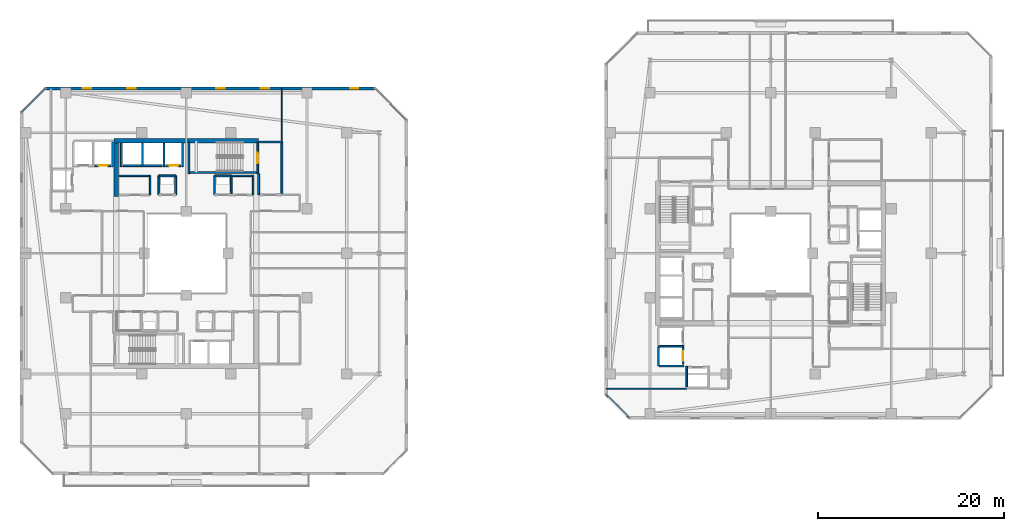
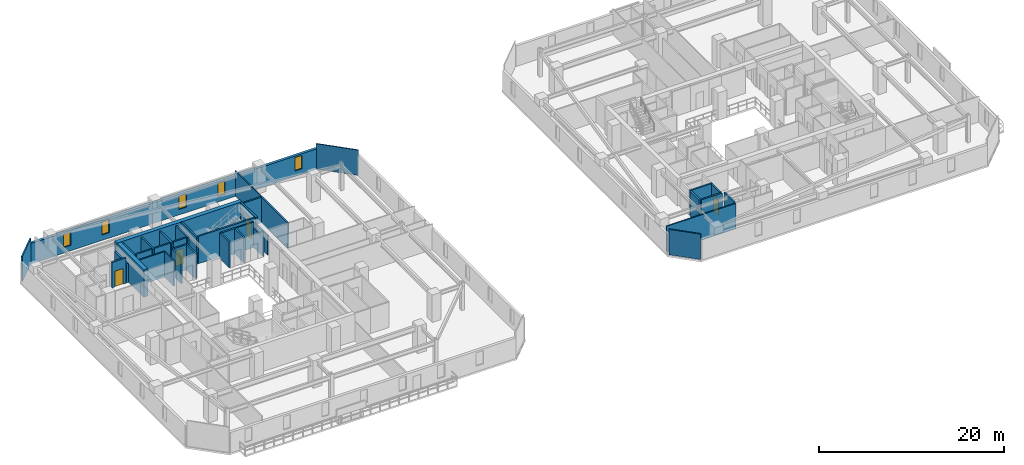
# One storey, part 22 of 33: 38 walls, 5 windows, 4 doors, 9 openings.
"""IFC4 building model written with IfcOpenShell, lengths in metres."""

from ifc_helpers import new_model, si_unit, direction, frame, frame_2d, origin, place, context, subcontext, project, spatial, rectangle, extrude, material, layer, layer_set, type_object, element, fill, save


model = new_model("IFC4")

# Units and contexts
model_context = context("Model", 3, precision=1e-05, world=origin(), true_north=direction((0.0, 1.0)))
body_context = subcontext(model_context, "Body", "Model", "MODEL_VIEW")
ifc_project = project(units=[si_unit("LENGTHUNIT", "METRE"), si_unit("AREAUNIT", "SQUARE_METRE"), si_unit("VOLUMEUNIT", "CUBIC_METRE"), si_unit("PLANEANGLEUNIT", "RADIAN"), si_unit("MASSUNIT", "GRAM", prefix="KILO")], contexts=[model_context])

# Site, building, storey
site_placement = place(None, origin())
site = spatial("IfcSite", under=ifc_project, at=site_placement, CompositionType="ELEMENT")
building_placement = place(site_placement, origin())
building = spatial("IfcBuilding", under=site, at=building_placement, Name="Thornwick Lancets Civic Towers", CompositionType="ELEMENT")
storey_placement = place(building_placement, frame((0.0, 0.0, 159.89990234375)))
storey = spatial("IfcBuildingStorey", under=building, at=storey_placement, Name="L42", CompositionType="ELEMENT", Elevation=159.89990234375)

# Wall, opening, door
ifc_material_1 = material(Name="Concrete blockwork C40/50", Category="masonry")
ifc_layer_1 = layer(ifc_material_1, 0.199951171875, Name="Concrete blockwork C40/50")
ifc_layer_set_1 = layer_set([ifc_layer_1], Name="Concrete blockwork C40/50")
wall_type_1 = type_object("IfcWallType", Name="WALL_COMP_200", PredefinedType="STANDARD", material=ifc_layer_set_1)
wall_1_placement = place(storey_placement, frame((24.919921875, 36.449951171875, 0.0), z_axis=(0.0, 0.0, 1.0), x_axis=(-1.0, 0.0, 0.0)))
wall_1 = element("IfcWall", 1, at=wall_1_placement, inside=storey, type_object=wall_type_1, Name="L42 Hoistway Front Wall FL-A2", PredefinedType="STANDARD", context=body_context, shape_type="SweptSolid", body=[
    extrude(rectangle(XDim=1.639892578125, YDim=0.199951171875, at=frame_2d((0.81982421875, 0.0))), origin(), (0.0, 0.0, 1.0), 3.340087890625),
])
opening_1_placement = place(wall_1_placement, frame((0.31005859375, 0.0, 0.0)))
opening_1 = element("IfcOpeningElement", 2, at=opening_1_placement, cuts=wall_1, Name="Opening LD-FL-A2", PredefinedType="OPENING", context=body_context, shape_type="SweptSolid", body=[
    extrude(rectangle(XDim=1.02001953125, YDim=2.06005859375, at=frame_2d((0.510009765625, 1.030029296875))), frame((0.0, 0.10986328125, 0.0), z_axis=(0.0, -1.0, 0.0), x_axis=(1.0, 0.0, 0.0)), (0.0, 0.0, 1.0), 0.219970703125),
])
ifc_material_2 = material(Name="Brushed bronze stainless steel", Category="steel")
door_type_1 = type_object("IfcDoorType", Name="DOOR_LIFT_SLIDE", OperationType="SLIDING_TO_LEFT", PredefinedType="DOOR", material=ifc_material_2)
door_1_placement = place(opening_1_placement, origin())
door_1 = element("IfcDoor", 3, at=door_1_placement, inside=storey, type_object=door_type_1, Name="L42 Sliding Lift Landing Door LD-FL-A2", OperationType="SLIDING_TO_LEFT", OverallHeight=2.06005859375, OverallWidth=1.02001953125, PredefinedType="DOOR", context=body_context, shape_type="SweptSolid", body=[
    extrude(rectangle(XDim=1.02001953125, YDim=2.06005859375, at=frame_2d((0.510009765625, 1.030029296875))), frame((0.0, 0.02490234375, 0.0), z_axis=(0.0, -1.0, 0.0), x_axis=(1.0, 0.0, 0.0)), (0.0, 0.0, 1.0), 0.050048828125),
])
fill(opening_1, door_1)

# Walls
wall_2_placement = place(storey_placement, frame((22.919921875, 36.449951171875, 0.0), z_axis=(0.0, 0.0, 1.0), x_axis=(-1.0, 0.0, 0.0)))
element("IfcWall", 4, at=wall_2_placement, inside=storey, type_object=wall_type_1, Name="L42 Hoistway Front Wall PL-AH2", PredefinedType="STANDARD", context=body_context, shape_type="SweptSolid", body=[
    extrude(rectangle(XDim=1.989990234375, YDim=0.199951171875, at=frame_2d((0.9951171875, 0.0))), origin(), (0.0, 0.0, 1.0), 3.340087890625),
])
wall_3_placement = place(storey_placement, frame((20.6201171875, 36.449951171875, 0.0), z_axis=(0.0, 0.0, 1.0), x_axis=(-1.0, 0.0, 0.0)))
element("IfcWall", 5, at=wall_3_placement, inside=storey, type_object=wall_type_1, Name="L42 Hoistway Front Wall PL-AH3", PredefinedType="STANDARD", context=body_context, shape_type="SweptSolid", body=[
    extrude(rectangle(XDim=1.940185546875, YDim=0.199951171875, at=frame_2d((0.97021484375, 0.0))), origin(), (0.0, 0.0, 1.0), 3.340087890625),
])

# Wall, opening, door
wall_4_placement = place(storey_placement, frame((17.3701171875, 36.449951171875, 0.0), z_axis=(0.0, 0.0, 1.0), x_axis=(-1.0, 0.0, 0.0)))
wall_4 = element("IfcWall", 6, at=wall_4_placement, inside=storey, type_object=wall_type_1, Name="L42 Hoistway Front Wall PL-AM1", PredefinedType="STANDARD", context=body_context, shape_type="SweptSolid", body=[
    extrude(rectangle(XDim=1.740234375, YDim=0.199951171875, at=frame_2d((0.8701171875, 0.0))), origin(), (0.0, 0.0, 1.0), 3.340087890625),
])
opening_2_placement = place(wall_4_placement, frame((0.360107421875, 0.0, 0.0)))
opening_2 = element("IfcOpeningElement", 7, at=opening_2_placement, cuts=wall_4, Name="Opening LD-PL-AM1", PredefinedType="OPENING", context=body_context, shape_type="SweptSolid", body=[
    extrude(rectangle(XDim=1.02001953125, YDim=2.06005859375, at=frame_2d((0.510009765625, 1.030029296875))), frame((0.0, 0.10986328125, 0.0), z_axis=(0.0, -1.0, 0.0), x_axis=(1.0, 0.0, 0.0)), (0.0, 0.0, 1.0), 0.219970703125),
])
door_2_placement = place(opening_2_placement, origin())
door_2 = element("IfcDoor", 8, at=door_2_placement, inside=storey, type_object=door_type_1, Name="L42 Sliding Lift Landing Door LD-PL-AM1", OperationType="SLIDING_TO_LEFT", OverallHeight=2.06005859375, OverallWidth=1.02001953125, PredefinedType="DOOR", context=body_context, shape_type="SweptSolid", body=[
    extrude(rectangle(XDim=1.02001953125, YDim=2.06005859375, at=frame_2d((0.510009765625, 1.030029296875))), frame((0.0, 0.02490234375, 0.0), z_axis=(0.0, -1.0, 0.0), x_axis=(1.0, 0.0, 0.0)), (0.0, 0.0, 1.0), 0.050048828125),
])
fill(opening_2, door_2)

wall_5_placement = place(storey_placement, frame((79.050048828125, 15.030029296875, 0.0), z_axis=(0.0, 0.0, 1.0), x_axis=(0.0, 1.0, 0.0)))
wall_5 = element("IfcWall", 9, at=wall_5_placement, inside=storey, type_object=wall_type_1, Name="L42 Hoistway Front Wall PL-BM2", PredefinedType="STANDARD", context=body_context, shape_type="SweptSolid", body=[
    extrude(rectangle(XDim=1.7900390625, YDim=0.199951171875, at=frame_2d((0.89501953125, 0.0))), origin(), (0.0, 0.0, 1.0), 3.340087890625),
])
opening_3_placement = place(wall_5_placement, frame((0.385009765625, 0.0, 0.0)))
opening_3 = element("IfcOpeningElement", 10, at=opening_3_placement, cuts=wall_5, Name="Opening LD-PL-BM2", PredefinedType="OPENING", context=body_context, shape_type="SweptSolid", body=[
    extrude(rectangle(XDim=1.02001953125, YDim=2.06005859375, at=frame_2d((0.510009765625, 1.030029296875))), frame((0.0, 0.10986328125, 0.0), z_axis=(0.0, -1.0, 0.0), x_axis=(1.0, 0.0, 0.0)), (0.0, 0.0, 1.0), 0.219970703125),
])
door_3_placement = place(opening_3_placement, origin())
door_3 = element("IfcDoor", 11, at=door_3_placement, inside=storey, type_object=door_type_1, Name="L42 Sliding Lift Landing Door LD-PL-BM2", OperationType="SLIDING_TO_LEFT", OverallHeight=2.06005859375, OverallWidth=1.02001953125, PredefinedType="DOOR", context=body_context, shape_type="SweptSolid", body=[
    extrude(rectangle(XDim=1.02001953125, YDim=2.06005859375, at=frame_2d((0.510009765625, 1.030029296875))), frame((0.0, 0.02490234375, 0.0), z_axis=(0.0, -1.0, 0.0), x_axis=(1.0, 0.0, 0.0)), (0.0, 0.0, 1.0), 0.050048828125),
])
fill(opening_3, door_3)

# Walls
for number, where, z_axis, x_axis, name in (
    (12, (25.10009765625, 36.35205078125, 0.0), (0.0, 0.0, 1.0), (0.0, 1.0, 0.0), "L42 Hoistway Shaft Wall FL-A2 E"),
    (13, (23.10009765625, 36.35205078125, 0.0), (0.0, 0.0, 1.0), (0.0, 1.0, 0.0), "L42 Hoistway Shaft Wall FL-A2 W"),
    (14, (20.77490234375, 36.35205078125, 0.0), (0.0, 0.0, 1.0), (0.0, 1.0, 0.0), "L42 Hoistway Shaft Wall PL-AH2 W"),
    (15, (18.5, 36.35205078125, 0.0), (0.0, 0.0, 1.0), (0.0, 1.0, 0.0), "L42 Hoistway Shaft Wall PL-AH3 W"),
):
    element("IfcWall", number, at=place(storey_placement, frame(where, z_axis=z_axis, x_axis=x_axis)), inside=storey, type_object=wall_type_1, Name=name, PredefinedType="STANDARD", context=body_context, shape_type="SweptSolid", body=[
        extrude(rectangle(XDim=2.535888671875, YDim=0.199951171875, at=frame_2d((1.26806640625, 0.0))), origin(), (0.0, 0.0, 1.0), 3.340087890625),
    ])
wall_6_placement = place(storey_placement, frame((17.550048828125, 36.35205078125, 0.0), z_axis=(0.0, 0.0, 1.0), x_axis=(0.0, 1.0, 0.0)))
element("IfcWall", 16, at=wall_6_placement, inside=storey, type_object=wall_type_1, Name="L42 Hoistway Shaft Wall PL-AM1 E", PredefinedType="STANDARD", context=body_context, shape_type="SweptSolid", body=[
    extrude(rectangle(XDim=2.635986328125, YDim=0.199951171875, at=frame_2d((1.31787109375, 0.0))), origin(), (0.0, 0.0, 1.0), 2.545166015625),
])
wall_7_placement = place(storey_placement, frame((76.402099609375, 16.97509765625, 0.0), z_axis=(0.0, 0.0, 1.0), x_axis=(1.0, 0.0, 0.0)))
element("IfcWall", 17, at=wall_7_placement, inside=storey, type_object=wall_type_1, Name="L42 Hoistway Shaft Wall PL-BM1 S", PredefinedType="STANDARD", context=body_context, shape_type="SweptSolid", body=[
    extrude(rectangle(XDim=2.745849609375, YDim=0.199951171875, at=frame_2d((1.373046875, 0.0))), origin(), (0.0, 0.0, 1.0), 3.340087890625),
])
wall_8_placement = place(storey_placement, frame((76.39990234375, 14.85205078125, 0.0), z_axis=(0.0, 0.0, 1.0), x_axis=(0.0, 1.0, 0.0)))
element("IfcWall", 18, at=wall_8_placement, inside=storey, type_object=wall_type_1, Name="L42 Hoistway Shaft Wall PL-BM1 W", PredefinedType="STANDARD", context=body_context, shape_type="SweptSolid", body=[
    extrude(rectangle(XDim=2.015869140625, YDim=0.199951171875, at=frame_2d((1.0078125, 0.0))), origin(), (0.0, 0.0, 1.0), 3.340087890625),
])
wall_9_placement = place(storey_placement, frame((76.511962890625, 14.85009765625, 0.0), z_axis=(0.0, 0.0, 1.0), x_axis=(1.0, 0.0, 0.0)))
element("IfcWall", 19, at=wall_9_placement, inside=storey, type_object=wall_type_1, Name="L42 Hoistway Shaft Wall PL-BM2 S", PredefinedType="STANDARD", context=body_context, shape_type="SweptSolid", body=[
    extrude(rectangle(XDim=2.635986328125, YDim=0.199951171875, at=frame_2d((1.31787109375, 0.0))), origin(), (0.0, 0.0, 1.0), 3.340087890625),
])
wall_10_placement = place(storey_placement, frame((79.449951171875, 12.612060546875, 0.0), z_axis=(0.0, 0.0, 1.0), x_axis=(0.0, 1.0, 0.0)))
element("IfcWall", 20, at=wall_10_placement, inside=storey, type_object=wall_type_1, Name="L42 Hoistway Shaft Wall PL-BM3 W", PredefinedType="STANDARD", context=body_context, shape_type="SweptSolid", body=[
    extrude(rectangle(XDim=2.18603515625, YDim=0.199951171875, at=frame_2d((1.093017578125, 0.0))), origin(), (0.0, 0.0, 1.0), 3.340087890625),
])
wall_11_placement = place(storey_placement, frame((35.800048828125, 33.300048828125, 0.0), z_axis=(0.0, 0.0, 1.0), x_axis=(0.0, 1.0, 0.0)))
element("IfcWall", 21, at=wall_11_placement, inside=storey, type_object=wall_type_1, Name="L42 Partition L42-A-FFLOB2 E2", PredefinedType="STANDARD", context=body_context, shape_type="SweptSolid", body=[
    extrude(rectangle(XDim=5.699951171875, YDim=0.199951171875, at=frame_2d((2.85009765625, 0.0))), origin(), (0.0, 0.0, 1.0), 3.340087890625),
])
wall_12_placement = place(storey_placement, frame((35.800048828125, 39.0, 0.0), z_axis=(0.0, 0.0, 1.0), x_axis=(-1.0, 0.0, 0.0)))
element("IfcWall", 22, at=wall_12_placement, inside=storey, type_object=wall_type_1, Name="L42 Partition L42-A-FFLOB2 E3", PredefinedType="STANDARD", context=body_context, shape_type="SweptSolid", body=[
    extrude(rectangle(XDim=2.5, YDim=0.199951171875, at=frame_2d((1.25, 0.0))), origin(), (0.0, 0.0, 1.0), 3.340087890625),
])
wall_13_placement = place(storey_placement, frame((33.300048828125, 35.60009765625, 0.0), z_axis=(0.0, 0.0, 1.0), x_axis=(0.0, -1.0, 0.0)))
element("IfcWall", 23, at=wall_13_placement, inside=storey, type_object=wall_type_1, Name="L42 Partition L42-A-FFLOB2 E4", PredefinedType="STANDARD", context=body_context, shape_type="SweptSolid", body=[
    extrude(rectangle(XDim=2.300048828125, YDim=0.199951171875, at=frame_2d((1.14990234375, 0.0))), origin(), (0.0, 0.0, 1.0), 2.545166015625),
])
wall_14_placement = place(storey_placement, frame((24.35009765625, 33.300048828125, 0.0), z_axis=(0.0, 0.0, 1.0), x_axis=(0.0, 1.0, 0.0)))
element("IfcWall", 24, at=wall_14_placement, inside=storey, type_object=wall_type_1, Name="L42 Partition L42-A-DUCT2 E2", PredefinedType="STANDARD", context=body_context, shape_type="SweptSolid", body=[
    extrude(rectangle(XDim=2.050048828125, YDim=0.199951171875, at=frame_2d((1.02490234375, 0.0))), origin(), (0.0, 0.0, 1.0), 3.340087890625),
])
wall_15_placement = place(storey_placement, frame((24.35009765625, 35.35009765625, 0.0), z_axis=(0.0, 0.0, 1.0), x_axis=(-1.0, 0.0, 0.0)))
element("IfcWall", 25, at=wall_15_placement, inside=storey, type_object=wall_type_1, Name="L42 Partition L42-A-DUCT2 E3", PredefinedType="STANDARD", context=body_context, shape_type="SweptSolid", body=[
    extrude(rectangle(XDim=1.800048828125, YDim=0.199951171875, at=frame_2d((0.89990234375, 0.0))), origin(), (0.0, 0.0, 1.0), 3.340087890625),
])
for number, where, z_axis, x_axis, name in (
    (26, (22.550048828125, 35.35009765625, 0.0), (0.0, 0.0, 1.0), (0.0, -1.0, 0.0), "L42 Partition L42-A-DUCT2 E4"),
    (27, (30.35009765625, 33.300048828125, 0.0), (0.0, 0.0, 1.0), (0.0, 1.0, 0.0), "L42 Partition L42-A-RISER2 E2"),
):
    element("IfcWall", number, at=place(storey_placement, frame(where, z_axis=z_axis, x_axis=x_axis)), inside=storey, type_object=wall_type_1, Name=name, PredefinedType="STANDARD", context=body_context, shape_type="SweptSolid", body=[
        extrude(rectangle(XDim=2.050048828125, YDim=0.199951171875, at=frame_2d((1.02490234375, 0.0))), origin(), (0.0, 0.0, 1.0), 3.340087890625),
    ])
wall_16_placement = place(storey_placement, frame((30.35009765625, 35.35009765625, 0.0), z_axis=(0.0, 0.0, 1.0), x_axis=(-1.0, 0.0, 0.0)))
element("IfcWall", 28, at=wall_16_placement, inside=storey, type_object=wall_type_1, Name="L42 Partition L42-A-RISER2 E3", PredefinedType="STANDARD", context=body_context, shape_type="SweptSolid", body=[
    extrude(rectangle(XDim=1.800048828125, YDim=0.199951171875, at=frame_2d((0.89990234375, 0.0))), origin(), (0.0, 0.0, 1.0), 3.340087890625),
])
wall_17_placement = place(storey_placement, frame((28.550048828125, 35.35009765625, 0.0), z_axis=(0.0, 0.0, 1.0), x_axis=(0.0, -1.0, 0.0)))
element("IfcWall", 29, at=wall_17_placement, inside=storey, type_object=wall_type_1, Name="L42 Partition L42-A-RISER2 E4", PredefinedType="STANDARD", context=body_context, shape_type="SweptSolid", body=[
    extrude(rectangle(XDim=2.050048828125, YDim=0.199951171875, at=frame_2d((1.02490234375, 0.0))), origin(), (0.0, 0.0, 1.0), 3.340087890625),
])
ifc_material_3 = material(Name="Concrete C50/60", Category="concrete")
ifc_layer_2 = layer(ifc_material_3, 0.5, Name="Concrete C50/60")
ifc_layer_set_2 = layer_set([ifc_layer_2], Name="Concrete C50/60")
wall_type_2 = type_object("IfcWallType", Name="WALL_CORE_500", PredefinedType="SHEAR", material=ifc_layer_set_2)
wall_18_placement = place(storey_placement, frame((17.699951171875, 39.14990234375, 0.0), z_axis=(0.0, 0.0, 1.0), x_axis=(1.0, 0.0, 0.0)))
element("IfcWall", 30, at=wall_18_placement, inside=storey, type_object=wall_type_2, Name="L42 Split Core A2 Shear Wall N", PredefinedType="SHEAR", context=body_context, shape_type="SweptSolid", body=[
    extrude(rectangle(XDim=15.60009765625, YDim=0.5, at=frame_2d((7.800048828125, 0.0))), origin(), (0.0, 0.0, 1.0), 3.60009765625),
])
wall_19_placement = place(storey_placement, frame((17.949951171875, 33.10009765625, 0.0), z_axis=(0.0, 0.0, 1.0), x_axis=(0.0, 1.0, 0.0)))
element("IfcWall", 31, at=wall_19_placement, inside=storey, type_object=wall_type_2, Name="L42 Split Core A2 Shear Wall W", PredefinedType="SHEAR", context=body_context, shape_type="SweptSolid", body=[
    extrude(rectangle(XDim=5.7998046875, YDim=0.5, at=frame_2d((2.89990234375, 0.0))), origin(), (0.0, 0.0, 1.0), 3.60009765625),
])

# Wall, openings, windows
ifc_material_4 = material(Name="Insulated buff terracotta rainscreen on concrete C40/50", Category="masonry")
ifc_layer_3 = layer(ifc_material_4, 0.320068359375, Name="Insulated buff terracotta rainscreen on concrete C40/50")
ifc_layer_set_3 = layer_set([ifc_layer_3], Name="Insulated buff terracotta rainscreen on concrete C40/50")
wall_type_3 = type_object("IfcWallType", Name="WALL_EXT_TERRA_320", PredefinedType="STANDARD", material=ifc_layer_set_3)
wall_20_placement = place(storey_placement, frame((45.853515625, 44.761962890625, 0.0), z_axis=(0.0, 0.0, 1.0), x_axis=(-0.999999997144, 7.5574884e-05, 0.0)))
wall_20 = element("IfcWall", 32, at=wall_20_placement, inside=storey, type_object=wall_type_3, Name="L42 Tower A Terracotta Facade Wall E4", PredefinedType="STANDARD", context=body_context, shape_type="SweptSolid", body=[
    extrude(rectangle(XDim=35.534912109375, YDim=0.320068359375, at=frame_2d((17.767578125, 0.0))), origin(), (0.0, 0.0, 1.0), 2.7001953125),
])
opening_4_placement = place(wall_20_placement, frame((1.800048828125, 0.0, 0.719970703125)))
opening_4 = element("IfcOpeningElement", 33, at=opening_4_placement, cuts=wall_20, Name="Opening WL-01", PredefinedType="OPENING", context=body_context, shape_type="SweptSolid", body=[
    extrude(rectangle(XDim=0.89990234375, YDim=1.75, at=frame_2d((0.449951171875, 0.875))), frame((0.0, 0.169921875, 0.0), z_axis=(0.0, -1.0, 0.0), x_axis=(1.0, 0.0, 0.0)), (0.0, 0.0, 1.0), 0.340087890625),
])
opening_5_placement = place(wall_20_placement, frame((11.39990234375, 0.0, 0.719970703125)))
opening_5 = element("IfcOpeningElement", 34, at=opening_5_placement, cuts=wall_20, Name="Opening WL-01", PredefinedType="OPENING", context=body_context, shape_type="SweptSolid", body=[
    extrude(rectangle(XDim=0.89990234375, YDim=1.75, at=frame_2d((0.449951171875, 0.875))), frame((0.0, 0.169921875, 0.0), z_axis=(0.0, -1.0, 0.0), x_axis=(1.0, 0.0, 0.0)), (0.0, 0.0, 1.0), 0.340087890625),
])
opening_6_placement = place(wall_20_placement, frame((16.199951171875, 0.0, 0.719970703125)))
opening_6 = element("IfcOpeningElement", 35, at=opening_6_placement, cuts=wall_20, Name="Opening WL-01", PredefinedType="OPENING", context=body_context, shape_type="SweptSolid", body=[
    extrude(rectangle(XDim=0.89990234375, YDim=1.75, at=frame_2d((0.449951171875, 0.875))), frame((0.0, 0.169921875, 0.0), z_axis=(0.0, -1.0, 0.0), x_axis=(1.0, 0.0, 0.0)), (0.0, 0.0, 1.0), 0.340087890625),
])
opening_7_placement = place(wall_20_placement, frame((25.800048828125, 0.0, 0.719970703125)))
opening_7 = element("IfcOpeningElement", 36, at=opening_7_placement, cuts=wall_20, Name="Opening WL-01", PredefinedType="OPENING", context=body_context, shape_type="SweptSolid", body=[
    extrude(rectangle(XDim=0.89990234375, YDim=1.75, at=frame_2d((0.449951171875, 0.875))), frame((0.0, 0.169921875, 0.0), z_axis=(0.0, -1.0, 0.0), x_axis=(1.0, 0.0, 0.0)), (0.0, 0.0, 1.0), 0.340087890625),
])
opening_8_placement = place(wall_20_placement, frame((30.60009765625, 0.0, 0.719970703125)))
opening_8 = element("IfcOpeningElement", 37, at=opening_8_placement, cuts=wall_20, Name="Opening WL-01", PredefinedType="OPENING", context=body_context, shape_type="SweptSolid", body=[
    extrude(rectangle(XDim=0.89990234375, YDim=1.75, at=frame_2d((0.449951171875, 0.875))), frame((0.0, 0.169921875, 0.0), z_axis=(0.0, -1.0, 0.0), x_axis=(1.0, 0.0, 0.0)), (0.0, 0.0, 1.0), 0.340087890625),
])
ifc_material_5 = material(Name="Clear low-e double glazing in bronze frame", Category="glass")
window_type = type_object("IfcWindowType", Name="WIN_LANCET_900", PartitioningType="SINGLE_PANEL", PredefinedType="WINDOW", material=ifc_material_5)
window_1_placement = place(opening_4_placement, origin())
window_1 = element("IfcWindow", 38, at=window_1_placement, inside=storey, type_object=window_type, Name="L42 Tower A Staggered Lancet Window E4-1", OverallHeight=1.75, OverallWidth=0.89990234375, PartitioningType="SINGLE_PANEL", PredefinedType="WINDOW", context=body_context, shape_type="SweptSolid", body=[
    extrude(rectangle(XDim=0.89990234375, YDim=1.75, at=frame_2d((0.449951171875, 0.875))), frame((0.0, 0.030029296875, 0.0), z_axis=(0.0, -1.0, 0.0), x_axis=(1.0, 0.0, 0.0)), (0.0, 0.0, 1.0), 0.06005859375),
])
fill(opening_4, window_1)
window_2_placement = place(opening_5_placement, origin())
window_2 = element("IfcWindow", 39, at=window_2_placement, inside=storey, type_object=window_type, Name="L42 Tower A Staggered Lancet Window E4-2", OverallHeight=1.75, OverallWidth=0.89990234375, PartitioningType="SINGLE_PANEL", PredefinedType="WINDOW", context=body_context, shape_type="SweptSolid", body=[
    extrude(rectangle(XDim=0.89990234375, YDim=1.75, at=frame_2d((0.449951171875, 0.875))), frame((0.0, 0.030029296875, 0.0), z_axis=(0.0, -1.0, 0.0), x_axis=(1.0, 0.0, 0.0)), (0.0, 0.0, 1.0), 0.06005859375),
])
fill(opening_5, window_2)
window_3_placement = place(opening_6_placement, origin())
window_3 = element("IfcWindow", 40, at=window_3_placement, inside=storey, type_object=window_type, Name="L42 Tower A Staggered Lancet Window E4-3", OverallHeight=1.75, OverallWidth=0.89990234375, PartitioningType="SINGLE_PANEL", PredefinedType="WINDOW", context=body_context, shape_type="SweptSolid", body=[
    extrude(rectangle(XDim=0.89990234375, YDim=1.75, at=frame_2d((0.449951171875, 0.875))), frame((0.0, 0.030029296875, 0.0), z_axis=(0.0, -1.0, 0.0), x_axis=(1.0, 0.0, 0.0)), (0.0, 0.0, 1.0), 0.06005859375),
])
fill(opening_6, window_3)
window_4_placement = place(opening_7_placement, origin())
window_4 = element("IfcWindow", 41, at=window_4_placement, inside=storey, type_object=window_type, Name="L42 Tower A Staggered Lancet Window E4-4", OverallHeight=1.75, OverallWidth=0.89990234375, PartitioningType="SINGLE_PANEL", PredefinedType="WINDOW", context=body_context, shape_type="SweptSolid", body=[
    extrude(rectangle(XDim=0.89990234375, YDim=1.75, at=frame_2d((0.449951171875, 0.875))), frame((0.0, 0.030029296875, 0.0), z_axis=(0.0, -1.0, 0.0), x_axis=(1.0, 0.0, 0.0)), (0.0, 0.0, 1.0), 0.06005859375),
])
fill(opening_7, window_4)
window_5_placement = place(opening_8_placement, origin())
window_5 = element("IfcWindow", 42, at=window_5_placement, inside=storey, type_object=window_type, Name="L42 Tower A Staggered Lancet Window E4-5", OverallHeight=1.75, OverallWidth=0.89990234375, PartitioningType="SINGLE_PANEL", PredefinedType="WINDOW", context=body_context, shape_type="SweptSolid", body=[
    extrude(rectangle(XDim=0.89990234375, YDim=1.75, at=frame_2d((0.449951171875, 0.875))), frame((0.0, 0.030029296875, 0.0), z_axis=(0.0, -1.0, 0.0), x_axis=(1.0, 0.0, 0.0)), (0.0, 0.0, 1.0), 0.06005859375),
])
fill(opening_8, window_5)

# Walls
ifc_material_6 = material(Name="Acoustic gypsum board partition")
ifc_layer_4 = layer(ifc_material_6, 0.1201171875, Name="Acoustic gypsum board partition")
ifc_layer_set_4 = layer_set([ifc_layer_4], Name="Acoustic gypsum board partition")
wall_type_4 = type_object("IfcWallType", Name="WALL_PART_120", PredefinedType="PARTITIONING", material=ifc_layer_set_4)
wall_21_placement = place(storey_placement, frame((35.800048828125, 39.0, 0.0), z_axis=(0.0, 0.0, 1.0), x_axis=(0.0, 1.0, 0.0)))
element("IfcWall", 43, at=wall_21_placement, inside=storey, type_object=wall_type_4, Name="L42 Partition L42-A-E4 E6", PredefinedType="PARTITIONING", context=body_context, shape_type="SweptSolid", body=[
    extrude(rectangle(XDim=5.719970703125, YDim=0.1201171875, at=frame_2d((2.85986328125, 0.0))), origin(), (0.0, 0.0, 1.0), 3.340087890625),
])
wall_22_placement = place(storey_placement, frame((45.894287109375, 44.719970703125, 0.0), z_axis=(0.0, 0.0, 1.0), x_axis=(0.707106781187, -0.707106781187, 0.0)))
element("IfcWall", 44, at=wall_22_placement, inside=storey, type_object=wall_type_4, Name="L42 Partition L42-A-E4 E8", PredefinedType="PARTITIONING", context=body_context, shape_type="SweptSolid", body=[
    extrude(rectangle(XDim=4.703125, YDim=0.1201171875, at=frame_2d((2.3515625, 0.0))), origin(), (0.0, 0.0, 1.0), 3.340087890625),
])
ifc_material_7 = material(Name="Twin-stud acoustic gypsum board")
ifc_layer_5 = layer(ifc_material_7, 0.14990234375, Name="Twin-stud acoustic gypsum board")
ifc_layer_set_5 = layer_set([ifc_layer_5], Name="Twin-stud acoustic gypsum board")
wall_type_5 = type_object("IfcWallType", Name="WALL_PART_150", PredefinedType="PARTITIONING", material=ifc_layer_set_5)
wall_23_placement = place(storey_placement, frame((21.60009765625, 33.300048828125, 0.0), z_axis=(0.0, 0.0, 1.0), x_axis=(0.0, 1.0, 0.0)))
element("IfcWall", 45, at=wall_23_placement, inside=storey, type_object=wall_type_5, Name="L42 Partition L42-A-MWC E2", PredefinedType="PARTITIONING", context=body_context, shape_type="SweptSolid", body=[
    extrude(rectangle(XDim=2.050048828125, YDim=0.14990234375, at=frame_2d((1.02490234375, 0.0))), origin(), (0.0, 0.0, 1.0), 3.340087890625),
])
wall_24_placement = place(storey_placement, frame((21.60009765625, 35.35009765625, 0.0), z_axis=(0.0, 0.0, 1.0), x_axis=(-1.0, 0.0, 0.0)))
element("IfcWall", 46, at=wall_24_placement, inside=storey, type_object=wall_type_5, Name="L42 Partition L42-A-MWC E3", PredefinedType="PARTITIONING", context=body_context, shape_type="SweptSolid", body=[
    extrude(rectangle(XDim=3.300048828125, YDim=0.14990234375, at=frame_2d((1.64990234375, 0.0))), origin(), (0.0, 0.0, 1.0), 3.340087890625),
])
wall_25_placement = place(storey_placement, frame((32.699951171875, 35.35009765625, 0.0), z_axis=(0.0, 0.0, 1.0), x_axis=(0.0, -1.0, 0.0)))
element("IfcWall", 47, at=wall_25_placement, inside=storey, type_object=wall_type_5, Name="L42 Partition L42-A-FWC E1", PredefinedType="PARTITIONING", context=body_context, shape_type="SweptSolid", body=[
    extrude(rectangle(XDim=2.050048828125, YDim=0.14990234375, at=frame_2d((1.02490234375, 0.0))), origin(), (0.0, 0.0, 1.0), 2.545166015625),
])
wall_26_placement = place(storey_placement, frame((30.35009765625, 35.35009765625, 0.0), z_axis=(0.0, 0.0, 1.0), x_axis=(1.0, 0.0, 0.0)))
element("IfcWall", 48, at=wall_26_placement, inside=storey, type_object=wall_type_5, Name="L42 Partition L42-A-FWC E4", PredefinedType="PARTITIONING", context=body_context, shape_type="SweptSolid", body=[
    extrude(rectangle(XDim=2.349853515625, YDim=0.14990234375, at=frame_2d((1.1748046875, 0.0))), origin(), (0.0, 0.0, 1.0), 3.340087890625),
])
for number, where, z_axis, x_axis, name in (
    (49, (7.780029296875, 42.225341796875, 0.0), (0.0, 0.0, 1.0), (0.707106781187, 0.707106781187, 0.0), "L42 Partition L42-A-W2 E5"),
    (50, (73.274658203125, 9.280029296875, 0.0), (0.0, 0.0, 1.0), (-0.707106781187, 0.707106781187, 0.0), "L42 Partition L42-B-W2 E5"),
):
    element("IfcWall", number, at=place(storey_placement, frame(where, z_axis=z_axis, x_axis=x_axis)), inside=storey, type_object=wall_type_5, Name=name, PredefinedType="PARTITIONING", context=body_context, shape_type="SweptSolid", body=[
        extrude(rectangle(XDim=3.52783203125, YDim=0.14990234375, at=frame_2d((1.763916015625, 0.0))), origin(), (0.0, 0.0, 1.0), 3.340087890625),
    ])
wall_27_placement = place(storey_placement, frame((70.780029296875, 12.39990234375, 0.0), z_axis=(0.0, 0.0, 1.0), x_axis=(1.0, 0.0, 0.0)))
element("IfcWall", 51, at=wall_27_placement, inside=storey, type_object=wall_type_5, Name="L42 Partition L42-B-W2 E7", PredefinedType="PARTITIONING", context=body_context, shape_type="SweptSolid", body=[
    extrude(rectangle(XDim=8.671875, YDim=0.14990234375, at=frame_2d((4.3359375, 0.0))), origin(), (0.0, 0.0, 1.0), 3.340087890625),
])

# Wall, opening, door
ifc_material_8 = material(Name="Concrete C40/50", Category="concrete")
ifc_layer_6 = layer(ifc_material_8, 0.199951171875, Name="Concrete C40/50")
ifc_layer_set_6 = layer_set([ifc_layer_6], Name="Concrete C40/50")
wall_type_6 = type_object("IfcWallType", Name="WALL_SHAFT_200", PredefinedType="SHEAR", material=ifc_layer_set_6)
wall_28_placement = place(storey_placement, frame((33.199951171875, 38.949951171875, 0.0), z_axis=(0.0, 0.0, 1.0), x_axis=(0.0, -1.0, 0.0)))
wall_28 = element("IfcWall", 52, at=wall_28_placement, inside=storey, type_object=wall_type_6, Name="L42 ST-A2 Fire Stair Core Wall NEAR", PredefinedType="SHEAR", context=body_context, shape_type="SweptSolid", body=[
    extrude(rectangle(XDim=3.349853515625, YDim=0.199951171875, at=frame_2d((1.6748046875, 0.0))), origin(), (0.0, 0.0, 1.0), 3.60009765625),
])
opening_9_placement = place(wall_28_placement, frame((1.125, 0.0, 0.0)))
opening_9 = element("IfcOpeningElement", 53, at=opening_9_placement, cuts=wall_28, Name="Opening D-ST-A2-L42", PredefinedType="OPENING", context=body_context, shape_type="SweptSolid", body=[
    extrude(rectangle(XDim=1.10009765625, YDim=2.10009765625, at=frame_2d((0.550048828125, 1.050048828125))), frame((0.0, 0.10986328125, 0.0), z_axis=(0.0, -1.0, 0.0), x_axis=(1.0, 0.0, 0.0)), (0.0, 0.0, 1.0), 0.219970703125),
])
ifc_material_9 = material(Name="Fire-resisting steel and hardwood", Category="steel")
door_type_2 = type_object("IfcDoorType", Name="DOOR_STAIR_FD60", OperationType="NOTDEFINED", PredefinedType="DOOR", material=ifc_material_9)
door_4_placement = place(opening_9_placement, origin())
door_4 = element("IfcDoor", 54, at=door_4_placement, inside=storey, type_object=door_type_2, Name="L42 ST-A2 Exit Stair Door", OperationType="SINGLE_SWING_LEFT", OverallHeight=2.10009765625, OverallWidth=1.10009765625, PredefinedType="DOOR", context=body_context, shape_type="SweptSolid", body=[
    extrude(rectangle(XDim=1.10009765625, YDim=2.10009765625, at=frame_2d((0.550048828125, 1.050048828125))), frame((0.0, 0.02490234375, 0.0), z_axis=(0.0, -1.0, 0.0), x_axis=(1.0, 0.0, 0.0)), (0.0, 0.0, 1.0), 0.050048828125),
])
fill(opening_9, door_4)

# Walls
wall_29_placement = place(storey_placement, frame((25.800048828125, 35.60009765625, 0.0), z_axis=(0.0, 0.0, 1.0), x_axis=(0.0, 1.0, 0.0)))
element("IfcWall", 55, at=wall_29_placement, inside=storey, type_object=wall_type_6, Name="L42 ST-A2 Fire Stair Core Wall FAR", PredefinedType="SHEAR", context=body_context, shape_type="SweptSolid", body=[
    extrude(rectangle(XDim=3.349853515625, YDim=0.199951171875, at=frame_2d((1.6748046875, 0.0))), origin(), (0.0, 0.0, 1.0), 3.60009765625),
])
wall_30_placement = place(storey_placement, frame((25.949951171875, 35.702880859375, 0.0), z_axis=(0.0, 0.0, 1.0), x_axis=(1.0, 0.0, 0.0)))
element("IfcWall", 56, at=wall_30_placement, inside=storey, type_object=wall_type_6, Name="L42 ST-A2 Fire Stair Core Wall RIGHT", PredefinedType="SHEAR", context=body_context, shape_type="SweptSolid", body=[
    extrude(rectangle(XDim=7.10009765625, YDim=0.199951171875, at=frame_2d((3.550048828125, 0.0))), origin(), (0.0, 0.0, 1.0), 3.60009765625),
])

save(model, "model.ifc")
